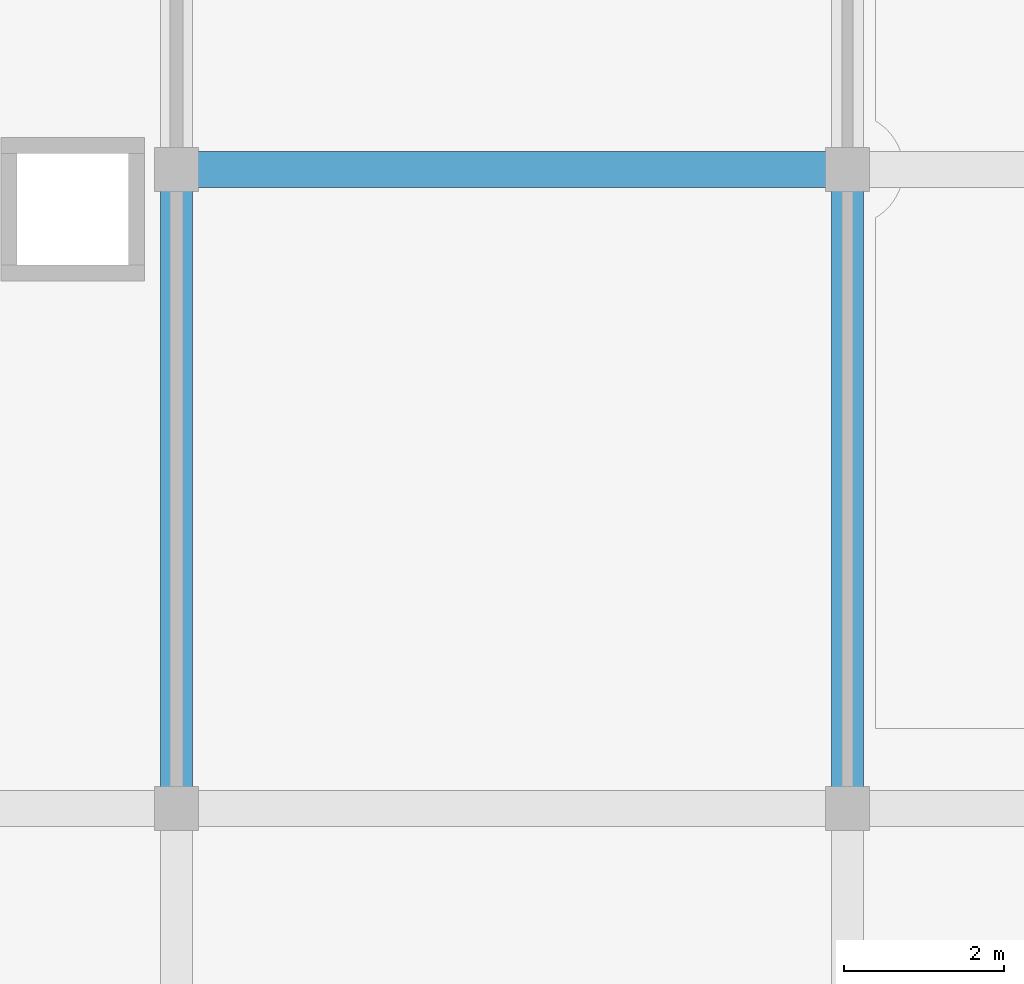
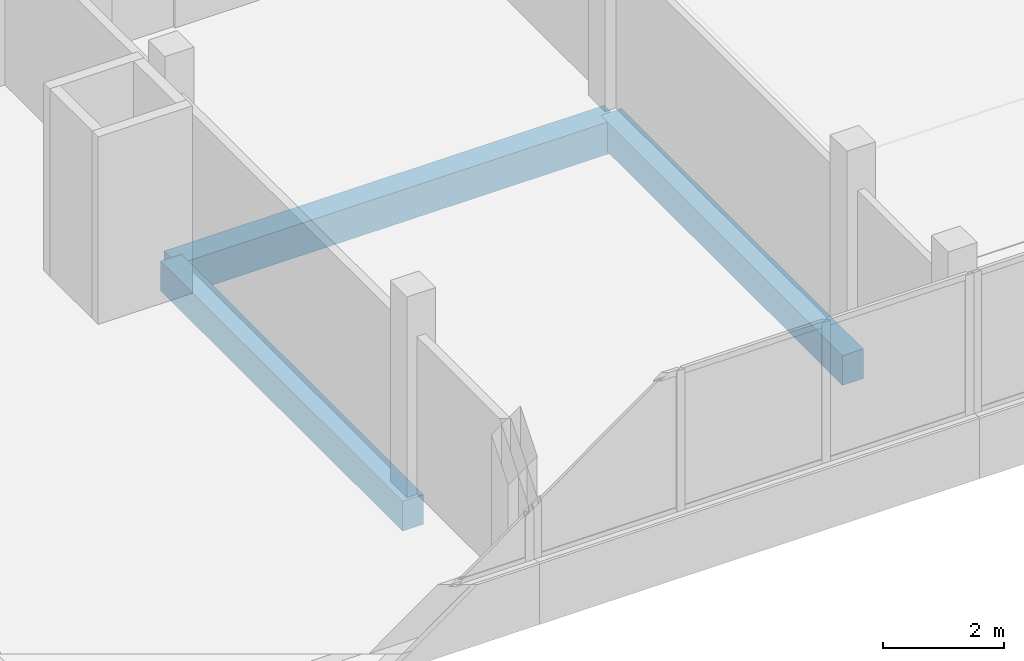
# One storey, part 29 of 66: 3 beams.
"""IFC4 building model written with IfcOpenShell, lengths in metres."""

from ifc_helpers import new_model, si_unit, direction, frame, origin, origin_2d, place, context, subcontext, project, spatial, rectangle, extrude, material, material_profile, profile_set, type_object, element, save


model = new_model("IFC4")

# Units and contexts
model_context = context("Model", 3, precision=1e-05, world=origin(), true_north=direction((0.0, 1.0)))
body_context = subcontext(model_context, "Body", "Model", "MODEL_VIEW")
ifc_project = project(units=[si_unit("LENGTHUNIT", "METRE"), si_unit("AREAUNIT", "SQUARE_METRE"), si_unit("VOLUMEUNIT", "CUBIC_METRE"), si_unit("PLANEANGLEUNIT", "RADIAN"), si_unit("MASSUNIT", "GRAM", prefix="KILO")], contexts=[model_context])

# Site, building, storey
site_placement = place(None, origin())
site = spatial("IfcSite", under=ifc_project, at=site_placement, CompositionType="ELEMENT")
building_placement = place(site_placement, origin())
building = spatial("IfcBuilding", under=site, at=building_placement, Name="Selatvlak General Hospital", CompositionType="ELEMENT")
storey_placement = place(building_placement, frame((0.0, 0.0, 31.35009765625)))
storey = spatial("IfcBuildingStorey", under=building, at=storey_placement, Name="L07", CompositionType="ELEMENT", Elevation=31.35009765625)

# Beams
ifc_material = material(Name="Concrete C40/50", Category="concrete")
ifc_material_profile_1 = material_profile(ifc_material, rectangle(XDim=0.449951171875, YDim=0.64990234375, at=origin_2d()), Name="RC-BM 450x650")
ifc_profile_set_1 = profile_set([ifc_material_profile_1], Name="Concrete C40/50")
beam_type_1 = type_object("IfcBeamType", Name="BM-G04", PredefinedType="BEAM", material=ifc_profile_set_1)
beam_placement = place(storey_placement, frame((123.60009765625, 100.0, -0.59521484375), z_axis=(1.0, 0.0, 0.0), x_axis=(0.0, 1.0, 0.0)))
element("IfcBeam", 1, at=beam_placement, inside=storey, type_object=beam_type_1, Name="Beam BMR-L07-2413", PredefinedType="BEAM", context=body_context, shape_type="SweptSolid", body=[
    extrude(rectangle(XDim=0.449951171875, YDim=0.64990234375, at=origin_2d()), origin(), (0.0, 0.0, 1.0), 8.39990234375),
])
ifc_material_profile_2 = material_profile(ifc_material, rectangle(XDim=0.39990234375, YDim=0.60009765625, at=origin_2d()), Name="RC-BM 400x600")
ifc_profile_set_2 = profile_set([ifc_material_profile_2], Name="Concrete C40/50")
beam_type_2 = type_object("IfcBeamType", Name="BM-G05", PredefinedType="BEAM", material=ifc_profile_set_2)
for number, where, z_axis, x_axis, name in (
    (2, (123.60009765625, 92.0, -0.570068359375), (0.0, 1.0, 0.0), (-1.0, 0.0, 0.0), "Beam BMR-L07-2515"),
    (3, (132.0, 92.0, -0.570068359375), (0.0, 1.0, 0.0), (-1.0, 0.0, 0.0), "Beam BMR-L07-2520"),
):
    element("IfcBeam", number, at=place(storey_placement, frame(where, z_axis=z_axis, x_axis=x_axis)), inside=storey, type_object=beam_type_2, Name=name, PredefinedType="BEAM", context=body_context, shape_type="SweptSolid", body=[
        extrude(rectangle(XDim=0.39990234375, YDim=0.60009765625, at=origin_2d()), origin(), (0.0, 0.0, 1.0), 8.0),
    ])

save(model, "model.ifc")
